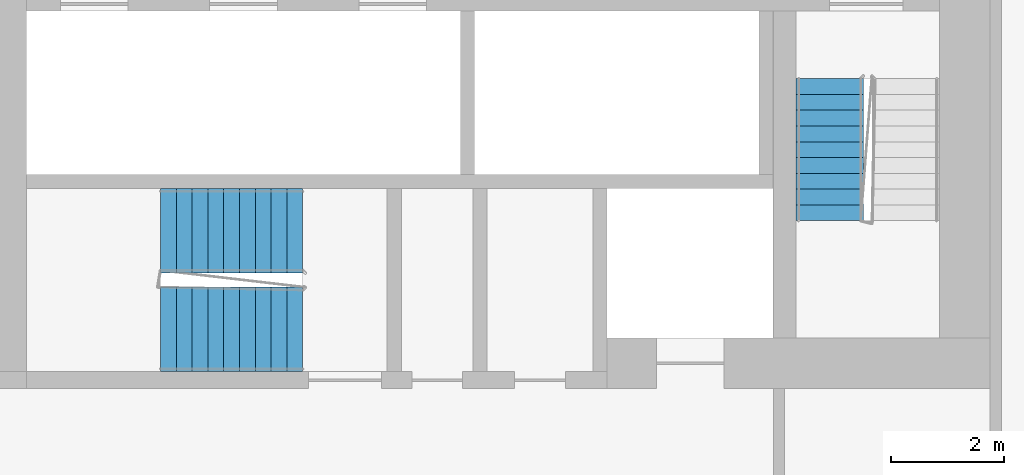
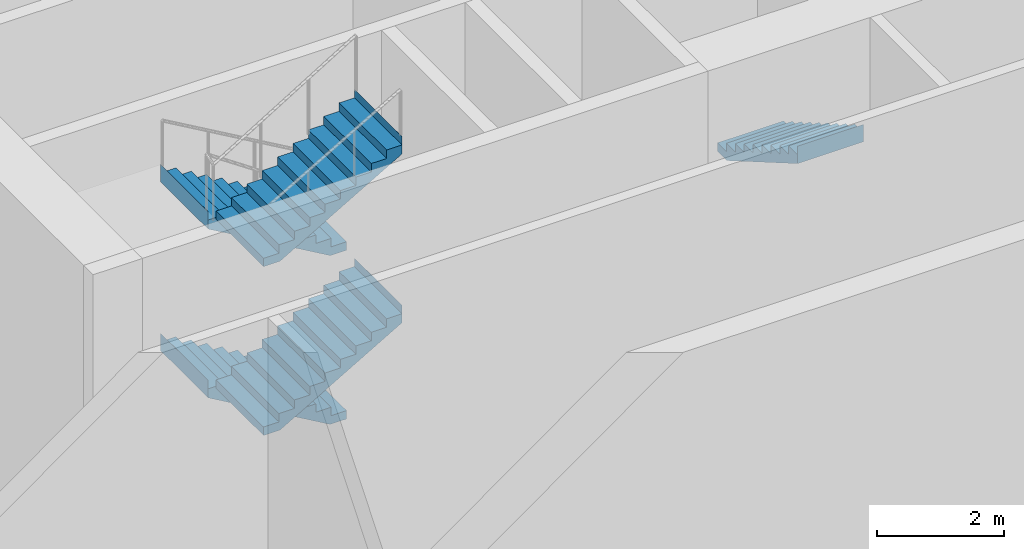
# One storey, part 15 of 24: 5 stair flights, 2 elements without a shape of their own.
"""IFC4 building model written with IfcOpenShell, lengths in metres."""

from ifc_helpers import new_model, si_unit, direction, frame, origin, place, context, subcontext, project, spatial, faceted_brep, material, type_object, element, aggregate, save


model = new_model("IFC4")

# Units and contexts
model_context = context("Model", 3, precision=1e-05, world=origin(), true_north=direction((0.0, 1.0)))
body_context = subcontext(model_context, "Body", "Model", "MODEL_VIEW")
ifc_project = project(units=[si_unit("LENGTHUNIT", "METRE"), si_unit("AREAUNIT", "SQUARE_METRE"), si_unit("VOLUMEUNIT", "CUBIC_METRE"), si_unit("PLANEANGLEUNIT", "RADIAN"), si_unit("MASSUNIT", "GRAM", prefix="KILO")], contexts=[model_context])

# Site, building, storey
site_placement = place(None, origin())
site = spatial("IfcSite", under=ifc_project, at=site_placement, CompositionType="ELEMENT")
building_placement = place(site_placement, origin())
building = spatial("IfcBuilding", under=site, at=building_placement, Name="Kajstack Hotel Tower", CompositionType="ELEMENT")
storey_placement = place(building_placement, frame((0.0, 0.0, 17.0)))
storey = spatial("IfcBuildingStorey", under=building, at=storey_placement, Name="L02", CompositionType="ELEMENT", Elevation=17.0)

# Stair, stair flight
ifc_material = material(Name="Concrete C40/50", Category="concrete")
stair_type_1 = type_object("IfcStairType", Name="Exit stair 1200", PredefinedType="HALF_TURN_STAIR", material=ifc_material)
stair_1_placement = place(storey_placement, origin())
stair_1 = element("IfcStair", 1, at=stair_1_placement, inside=storey, type_object=stair_type_1, Name="L02 stair W2", PredefinedType="HALF_TURN_STAIR")
stair_flight_type_1 = type_object("IfcStairFlightType", Name="Exit stair flight 1200", PredefinedType="STRAIGHT", material=ifc_material)
stair_flight_1_placement = place(storey_placement, frame((-16.35009765625, -10.0, 0.0), z_axis=(0.0, 0.0, 1.0), x_axis=(0.0, -1.0, 0.0)))
stair_flight_1 = element("IfcStairFlight", 2, at=stair_flight_1_placement, type_object=stair_flight_type_1, Name="W2 flight 1", NumberOfRisers=10, NumberOfTreads=9, PredefinedType="STRAIGHT", RiserHeight=0.1625, TreadLength=0.28, context=body_context, shape_type="Brep", body=[
    faceted_brep([(0.299072265625, -0.60009765625, 0.0), (2.5205078125, -0.60009765625, 1.2890625), (2.5205078125, -0.60009765625, 1.625), (2.52001953125, -0.60009765625, 1.625), (2.52001953125, -0.60009765625, 1.46240234375), (2.239990234375, -0.60009765625, 1.46240234375), (2.239990234375, -0.60009765625, 1.300048828125), (1.9599609375, -0.60009765625, 1.300048828125), (1.9599609375, -0.60009765625, 1.137451171875), (1.679931640625, -0.60009765625, 1.137451171875), (1.679931640625, -0.60009765625, 0.97509765625), (1.39990234375, -0.60009765625, 0.97509765625), (1.39990234375, -0.60009765625, 0.8125), (1.1201171875, -0.60009765625, 0.8125), (1.1201171875, -0.60009765625, 0.64990234375), (0.840087890625, -0.60009765625, 0.64990234375), (0.840087890625, -0.60009765625, 0.487548828125), (0.56005859375, -0.60009765625, 0.487548828125), (0.56005859375, -0.60009765625, 0.324951171875), (0.280029296875, -0.60009765625, 0.324951171875), (0.280029296875, -0.60009765625, 0.16259765625), (-0.00048828125, -0.60009765625, 0.16259765625), (-0.00048828125, -0.60009765625, 0.0), (-0.00048828125, 0.60009765625, 0.0), (-0.00048828125, 0.60009765625, 0.16259765625), (0.280029296875, 0.60009765625, 0.16259765625), (0.280029296875, 0.60009765625, 0.324951171875), (0.56005859375, 0.60009765625, 0.324951171875), (0.56005859375, 0.60009765625, 0.487548828125), (0.840087890625, 0.60009765625, 0.487548828125), (0.840087890625, 0.60009765625, 0.64990234375), (1.1201171875, 0.60009765625, 0.64990234375), (1.1201171875, 0.60009765625, 0.8125), (1.39990234375, 0.60009765625, 0.8125), (1.39990234375, 0.60009765625, 0.97509765625), (1.679931640625, 0.60009765625, 0.97509765625), (1.679931640625, 0.60009765625, 1.137451171875), (1.9599609375, 0.60009765625, 1.137451171875), (1.9599609375, 0.60009765625, 1.300048828125), (2.239990234375, 0.60009765625, 1.300048828125), (2.239990234375, 0.60009765625, 1.46240234375), (2.52001953125, 0.60009765625, 1.46240234375), (2.52001953125, 0.60009765625, 1.625), (2.5205078125, 0.60009765625, 1.625), (2.5205078125, 0.60009765625, 1.2890625), (0.299072265625, 0.60009765625, 0.0), (-0.00048828125, -0.300048828125, 0.16259765625), (-0.00048828125, 0.0, 0.16259765625), (-0.00048828125, 0.300048828125, 0.16259765625), (-0.00048828125, 0.300048828125, 0.0), (-0.00048828125, 0.0, 0.0), (-0.00048828125, -0.300048828125, 0.0), (0.280029296875, -0.300048828125, 0.16259765625), (0.280029296875, 0.0, 0.16259765625), (0.280029296875, 0.300048828125, 0.16259765625), (0.280029296875, -0.300048828125, 0.324951171875), (0.280029296875, 0.0, 0.324951171875), (0.280029296875, 0.300048828125, 0.324951171875), (0.56005859375, -0.300048828125, 0.324951171875), (0.56005859375, 0.0, 0.324951171875), (0.56005859375, 0.300048828125, 0.324951171875), (0.56005859375, -0.300048828125, 0.487548828125), (0.56005859375, 0.0, 0.487548828125), (0.56005859375, 0.300048828125, 0.487548828125), (0.840087890625, -0.300048828125, 0.487548828125), (0.840087890625, 0.0, 0.487548828125), (0.840087890625, 0.300048828125, 0.487548828125), (0.840087890625, -0.300048828125, 0.64990234375), (0.840087890625, 0.0, 0.64990234375), (0.840087890625, 0.300048828125, 0.64990234375), (1.1201171875, -0.300048828125, 0.64990234375), (1.1201171875, 0.0, 0.64990234375), (1.1201171875, 0.300048828125, 0.64990234375), (1.1201171875, -0.300048828125, 0.8125), (1.1201171875, 0.0, 0.8125), (1.1201171875, 0.300048828125, 0.8125), (1.39990234375, -0.300048828125, 0.8125), (1.39990234375, 0.0, 0.8125), (1.39990234375, 0.300048828125, 0.8125), (1.39990234375, -0.300048828125, 0.97509765625), (1.39990234375, 0.0, 0.97509765625), (1.39990234375, 0.300048828125, 0.97509765625), (1.679931640625, -0.300048828125, 0.97509765625), (1.679931640625, 0.0, 0.97509765625), (1.679931640625, 0.300048828125, 0.97509765625), (1.679931640625, -0.300048828125, 1.137451171875), (1.679931640625, 0.0, 1.137451171875), (1.679931640625, 0.300048828125, 1.137451171875), (1.9599609375, -0.300048828125, 1.137451171875), (1.9599609375, 0.0, 1.137451171875), (1.9599609375, 0.300048828125, 1.137451171875), (1.9599609375, -0.300048828125, 1.300048828125), (1.9599609375, 0.0, 1.300048828125), (1.9599609375, 0.300048828125, 1.300048828125), (2.239990234375, -0.300048828125, 1.300048828125), (2.239990234375, 0.0, 1.300048828125), (2.239990234375, 0.300048828125, 1.300048828125), (2.239990234375, -0.300048828125, 1.46240234375), (2.239990234375, 0.0, 1.46240234375), (2.239990234375, 0.300048828125, 1.46240234375), (2.52001953125, -0.300048828125, 1.46240234375), (2.52001953125, 0.0, 1.46240234375), (2.52001953125, 0.300048828125, 1.46240234375), (2.52001953125, -0.300048828125, 1.625), (2.52001953125, 0.0, 1.625), (2.52001953125, 0.300048828125, 1.625), (2.5205078125, -0.300048828125, 1.625), (2.5205078125, 0.0, 1.625), (2.5205078125, 0.300048828125, 1.625), (2.5205078125, -0.300048828125, 1.2890625), (2.5205078125, 0.0, 1.2890625), (2.5205078125, 0.300048828125, 1.2890625), (0.299072265625, -0.300048828125, 0.0), (0.299072265625, 0.0, 0.0), (0.299072265625, 0.300048828125, 0.0)], [[[0, 1, 2, 3, 4, 5, 6, 7, 8, 9, 10, 11, 12, 13, 14, 15, 16, 17, 18, 19, 20, 21, 22]], [[23, 24, 25, 26, 27, 28, 29, 30, 31, 32, 33, 34, 35, 36, 37, 38, 39, 40, 41, 42, 43, 44, 45]], [[21, 46, 47, 48, 24, 23, 49, 50, 51, 22]], [[20, 52, 53, 54, 25, 24, 48, 47, 46, 21]], [[19, 55, 56, 57, 26, 25, 54, 53, 52, 20]], [[18, 58, 59, 60, 27, 26, 57, 56, 55, 19]], [[17, 61, 62, 63, 28, 27, 60, 59, 58, 18]], [[16, 64, 65, 66, 29, 28, 63, 62, 61, 17]], [[15, 67, 68, 69, 30, 29, 66, 65, 64, 16]], [[14, 70, 71, 72, 31, 30, 69, 68, 67, 15]], [[13, 73, 74, 75, 32, 31, 72, 71, 70, 14]], [[12, 76, 77, 78, 33, 32, 75, 74, 73, 13]], [[11, 79, 80, 81, 34, 33, 78, 77, 76, 12]], [[10, 82, 83, 84, 35, 34, 81, 80, 79, 11]], [[9, 85, 86, 87, 36, 35, 84, 83, 82, 10]], [[8, 88, 89, 90, 37, 36, 87, 86, 85, 9]], [[7, 91, 92, 93, 38, 37, 90, 89, 88, 8]], [[6, 94, 95, 96, 39, 38, 93, 92, 91, 7]], [[5, 97, 98, 99, 40, 39, 96, 95, 94, 6]], [[4, 100, 101, 102, 41, 40, 99, 98, 97, 5]], [[3, 103, 104, 105, 42, 41, 102, 101, 100, 4]], [[2, 106, 107, 108, 43, 42, 105, 104, 103, 3]], [[1, 109, 110, 111, 44, 43, 108, 107, 106, 2]], [[0, 112, 113, 114, 45, 44, 111, 110, 109, 1]], [[22, 51, 50, 49, 23, 45, 114, 113, 112, 0]]]),
])
aggregate(stair_1, [stair_flight_1])

# Stair, stair flights
stair_type_2 = type_object("IfcStairType", Name="Exit stair 1500", PredefinedType="HALF_TURN_STAIR", material=ifc_material)
stair_2_placement = place(storey_placement, origin())
stair_2 = element("IfcStair", 3, at=stair_2_placement, inside=storey, type_object=stair_type_2, Name="L02 stair W3", PredefinedType="HALF_TURN_STAIR")
stair_flight_type_2 = type_object("IfcStairFlightType", Name="Exit stair flight 1500", PredefinedType="STRAIGHT", material=ifc_material)
stair_flight_2_placement = place(storey_placement, frame((-25.699951171875, -12.699951171875, 0.0), z_axis=(0.0, 0.0, 1.0), x_axis=(-1.0, 0.0, 0.0)))
stair_flight_2 = element("IfcStairFlight", 4, at=stair_flight_2_placement, type_object=stair_flight_type_2, Name="W3 flight 1", NumberOfRisers=10, NumberOfTreads=9, PredefinedType="STRAIGHT", RiserHeight=0.1625, TreadLength=0.28, context=body_context, shape_type="Brep", body=[
    faceted_brep([(0.299072265625, -0.75, 0.0), (2.5205078125, -0.75, 1.2890625), (2.5205078125, -0.75, 1.625), (2.52001953125, -0.75, 1.625), (2.52001953125, -0.75, 1.46240234375), (2.239990234375, -0.75, 1.46240234375), (2.239990234375, -0.75, 1.300048828125), (1.9599609375, -0.75, 1.300048828125), (1.9599609375, -0.75, 1.137451171875), (1.679931640625, -0.75, 1.137451171875), (1.679931640625, -0.75, 0.97509765625), (1.39990234375, -0.75, 0.97509765625), (1.39990234375, -0.75, 0.8125), (1.1201171875, -0.75, 0.8125), (1.1201171875, -0.75, 0.64990234375), (0.840087890625, -0.75, 0.64990234375), (0.840087890625, -0.75, 0.487548828125), (0.56005859375, -0.75, 0.487548828125), (0.56005859375, -0.75, 0.324951171875), (0.280029296875, -0.75, 0.324951171875), (0.280029296875, -0.75, 0.16259765625), (-0.00048828125, -0.75, 0.16259765625), (-0.00048828125, -0.75, 0.0), (-0.00048828125, 0.75, 0.0), (-0.00048828125, 0.75, 0.16259765625), (0.280029296875, 0.75, 0.16259765625), (0.280029296875, 0.75, 0.324951171875), (0.56005859375, 0.75, 0.324951171875), (0.56005859375, 0.75, 0.487548828125), (0.840087890625, 0.75, 0.487548828125), (0.840087890625, 0.75, 0.64990234375), (1.1201171875, 0.75, 0.64990234375), (1.1201171875, 0.75, 0.8125), (1.39990234375, 0.75, 0.8125), (1.39990234375, 0.75, 0.97509765625), (1.679931640625, 0.75, 0.97509765625), (1.679931640625, 0.75, 1.137451171875), (1.9599609375, 0.75, 1.137451171875), (1.9599609375, 0.75, 1.300048828125), (2.239990234375, 0.75, 1.300048828125), (2.239990234375, 0.75, 1.46240234375), (2.52001953125, 0.75, 1.46240234375), (2.52001953125, 0.75, 1.625), (2.5205078125, 0.75, 1.625), (2.5205078125, 0.75, 1.2890625), (0.299072265625, 0.75, 0.0), (-0.00048828125, -0.375, 0.16259765625), (-0.00048828125, 0.0, 0.16259765625), (-0.00048828125, 0.375, 0.16259765625), (-0.00048828125, 0.375, 0.0), (-0.00048828125, 0.0, 0.0), (-0.00048828125, -0.375, 0.0), (0.280029296875, -0.375, 0.16259765625), (0.280029296875, 0.0, 0.16259765625), (0.280029296875, 0.375, 0.16259765625), (0.280029296875, -0.375, 0.324951171875), (0.280029296875, 0.0, 0.324951171875), (0.280029296875, 0.375, 0.324951171875), (0.56005859375, -0.375, 0.324951171875), (0.56005859375, 0.0, 0.324951171875), (0.56005859375, 0.375, 0.324951171875), (0.56005859375, -0.375, 0.487548828125), (0.56005859375, 0.0, 0.487548828125), (0.56005859375, 0.375, 0.487548828125), (0.840087890625, -0.375, 0.487548828125), (0.840087890625, 0.0, 0.487548828125), (0.840087890625, 0.375, 0.487548828125), (0.840087890625, -0.375, 0.64990234375), (0.840087890625, 0.0, 0.64990234375), (0.840087890625, 0.375, 0.64990234375), (1.1201171875, -0.375, 0.64990234375), (1.1201171875, 0.0, 0.64990234375), (1.1201171875, 0.375, 0.64990234375), (1.1201171875, -0.375, 0.8125), (1.1201171875, 0.0, 0.8125), (1.1201171875, 0.375, 0.8125), (1.39990234375, -0.375, 0.8125), (1.39990234375, 0.0, 0.8125), (1.39990234375, 0.375, 0.8125), (1.39990234375, -0.375, 0.97509765625), (1.39990234375, 0.0, 0.97509765625), (1.39990234375, 0.375, 0.97509765625), (1.679931640625, -0.375, 0.97509765625), (1.679931640625, 0.0, 0.97509765625), (1.679931640625, 0.375, 0.97509765625), (1.679931640625, -0.375, 1.137451171875), (1.679931640625, 0.0, 1.137451171875), (1.679931640625, 0.375, 1.137451171875), (1.9599609375, -0.375, 1.137451171875), (1.9599609375, 0.0, 1.137451171875), (1.9599609375, 0.375, 1.137451171875), (1.9599609375, -0.375, 1.300048828125), (1.9599609375, 0.0, 1.300048828125), (1.9599609375, 0.375, 1.300048828125), (2.239990234375, -0.375, 1.300048828125), (2.239990234375, 0.0, 1.300048828125), (2.239990234375, 0.375, 1.300048828125), (2.239990234375, -0.375, 1.46240234375), (2.239990234375, 0.0, 1.46240234375), (2.239990234375, 0.375, 1.46240234375), (2.52001953125, -0.375, 1.46240234375), (2.52001953125, 0.0, 1.46240234375), (2.52001953125, 0.375, 1.46240234375), (2.52001953125, -0.375, 1.625), (2.52001953125, 0.0, 1.625), (2.52001953125, 0.375, 1.625), (2.5205078125, -0.375, 1.625), (2.5205078125, 0.0, 1.625), (2.5205078125, 0.375, 1.625), (2.5205078125, -0.375, 1.2890625), (2.5205078125, 0.0, 1.2890625), (2.5205078125, 0.375, 1.2890625), (0.299072265625, -0.375, 0.0), (0.299072265625, 0.0, 0.0), (0.299072265625, 0.375, 0.0)], [[[0, 1, 2, 3, 4, 5, 6, 7, 8, 9, 10, 11, 12, 13, 14, 15, 16, 17, 18, 19, 20, 21, 22]], [[23, 24, 25, 26, 27, 28, 29, 30, 31, 32, 33, 34, 35, 36, 37, 38, 39, 40, 41, 42, 43, 44, 45]], [[21, 46, 47, 48, 24, 23, 49, 50, 51, 22]], [[20, 52, 53, 54, 25, 24, 48, 47, 46, 21]], [[19, 55, 56, 57, 26, 25, 54, 53, 52, 20]], [[18, 58, 59, 60, 27, 26, 57, 56, 55, 19]], [[17, 61, 62, 63, 28, 27, 60, 59, 58, 18]], [[16, 64, 65, 66, 29, 28, 63, 62, 61, 17]], [[15, 67, 68, 69, 30, 29, 66, 65, 64, 16]], [[14, 70, 71, 72, 31, 30, 69, 68, 67, 15]], [[13, 73, 74, 75, 32, 31, 72, 71, 70, 14]], [[12, 76, 77, 78, 33, 32, 75, 74, 73, 13]], [[11, 79, 80, 81, 34, 33, 78, 77, 76, 12]], [[10, 82, 83, 84, 35, 34, 81, 80, 79, 11]], [[9, 85, 86, 87, 36, 35, 84, 83, 82, 10]], [[8, 88, 89, 90, 37, 36, 87, 86, 85, 9]], [[7, 91, 92, 93, 38, 37, 90, 89, 88, 8]], [[6, 94, 95, 96, 39, 38, 93, 92, 91, 7]], [[5, 97, 98, 99, 40, 39, 96, 95, 94, 6]], [[4, 100, 101, 102, 41, 40, 99, 98, 97, 5]], [[3, 103, 104, 105, 42, 41, 102, 101, 100, 4]], [[2, 106, 107, 108, 43, 42, 105, 104, 103, 3]], [[1, 109, 110, 111, 44, 43, 108, 107, 106, 2]], [[0, 112, 113, 114, 45, 44, 111, 110, 109, 1]], [[22, 51, 50, 49, 23, 45, 114, 113, 112, 0]]]),
])
stair_flight_3_placement = place(storey_placement, frame((-28.219970703125, -14.449951171875, 1.625), z_axis=(0.0, 0.0, 1.0), x_axis=(1.0, 0.0, 0.0)))
stair_flight_3 = element("IfcStairFlight", 5, at=stair_flight_3_placement, type_object=stair_flight_type_2, Name="W3 flight 2", NumberOfRisers=10, NumberOfTreads=9, PredefinedType="STRAIGHT", RiserHeight=0.1625, TreadLength=0.28, context=body_context, shape_type="Brep", body=[
    faceted_brep([(0.299072265625, -0.75, 0.0), (2.5205078125, -0.75, 1.2890625), (2.5205078125, -0.75, 1.625), (2.52001953125, -0.75, 1.625), (2.52001953125, -0.75, 1.46240234375), (2.239990234375, -0.75, 1.46240234375), (2.239990234375, -0.75, 1.300048828125), (1.9599609375, -0.75, 1.300048828125), (1.9599609375, -0.75, 1.137451171875), (1.679931640625, -0.75, 1.137451171875), (1.679931640625, -0.75, 0.97509765625), (1.39990234375, -0.75, 0.97509765625), (1.39990234375, -0.75, 0.8125), (1.1201171875, -0.75, 0.8125), (1.1201171875, -0.75, 0.64990234375), (0.840087890625, -0.75, 0.64990234375), (0.840087890625, -0.75, 0.487548828125), (0.56005859375, -0.75, 0.487548828125), (0.56005859375, -0.75, 0.324951171875), (0.280029296875, -0.75, 0.324951171875), (0.280029296875, -0.75, 0.16259765625), (-0.00048828125, -0.75, 0.16259765625), (-0.00048828125, -0.75, 0.0), (-0.00048828125, 0.75, 0.0), (-0.00048828125, 0.75, 0.16259765625), (0.280029296875, 0.75, 0.16259765625), (0.280029296875, 0.75, 0.324951171875), (0.56005859375, 0.75, 0.324951171875), (0.56005859375, 0.75, 0.487548828125), (0.840087890625, 0.75, 0.487548828125), (0.840087890625, 0.75, 0.64990234375), (1.1201171875, 0.75, 0.64990234375), (1.1201171875, 0.75, 0.8125), (1.39990234375, 0.75, 0.8125), (1.39990234375, 0.75, 0.97509765625), (1.679931640625, 0.75, 0.97509765625), (1.679931640625, 0.75, 1.137451171875), (1.9599609375, 0.75, 1.137451171875), (1.9599609375, 0.75, 1.300048828125), (2.239990234375, 0.75, 1.300048828125), (2.239990234375, 0.75, 1.46240234375), (2.52001953125, 0.75, 1.46240234375), (2.52001953125, 0.75, 1.625), (2.5205078125, 0.75, 1.625), (2.5205078125, 0.75, 1.2890625), (0.299072265625, 0.75, 0.0), (-0.00048828125, -0.375, 0.16259765625), (-0.00048828125, 0.0, 0.16259765625), (-0.00048828125, 0.375, 0.16259765625), (-0.00048828125, 0.375, 0.0), (-0.00048828125, 0.0, 0.0), (-0.00048828125, -0.375, 0.0), (0.280029296875, -0.375, 0.16259765625), (0.280029296875, 0.0, 0.16259765625), (0.280029296875, 0.375, 0.16259765625), (0.280029296875, -0.375, 0.324951171875), (0.280029296875, 0.0, 0.324951171875), (0.280029296875, 0.375, 0.324951171875), (0.56005859375, -0.375, 0.324951171875), (0.56005859375, 0.0, 0.324951171875), (0.56005859375, 0.375, 0.324951171875), (0.56005859375, -0.375, 0.487548828125), (0.56005859375, 0.0, 0.487548828125), (0.56005859375, 0.375, 0.487548828125), (0.840087890625, -0.375, 0.487548828125), (0.840087890625, 0.0, 0.487548828125), (0.840087890625, 0.375, 0.487548828125), (0.840087890625, -0.375, 0.64990234375), (0.840087890625, 0.0, 0.64990234375), (0.840087890625, 0.375, 0.64990234375), (1.1201171875, -0.375, 0.64990234375), (1.1201171875, 0.0, 0.64990234375), (1.1201171875, 0.375, 0.64990234375), (1.1201171875, -0.375, 0.8125), (1.1201171875, 0.0, 0.8125), (1.1201171875, 0.375, 0.8125), (1.39990234375, -0.375, 0.8125), (1.39990234375, 0.0, 0.8125), (1.39990234375, 0.375, 0.8125), (1.39990234375, -0.375, 0.97509765625), (1.39990234375, 0.0, 0.97509765625), (1.39990234375, 0.375, 0.97509765625), (1.679931640625, -0.375, 0.97509765625), (1.679931640625, 0.0, 0.97509765625), (1.679931640625, 0.375, 0.97509765625), (1.679931640625, -0.375, 1.137451171875), (1.679931640625, 0.0, 1.137451171875), (1.679931640625, 0.375, 1.137451171875), (1.9599609375, -0.375, 1.137451171875), (1.9599609375, 0.0, 1.137451171875), (1.9599609375, 0.375, 1.137451171875), (1.9599609375, -0.375, 1.300048828125), (1.9599609375, 0.0, 1.300048828125), (1.9599609375, 0.375, 1.300048828125), (2.239990234375, -0.375, 1.300048828125), (2.239990234375, 0.0, 1.300048828125), (2.239990234375, 0.375, 1.300048828125), (2.239990234375, -0.375, 1.46240234375), (2.239990234375, 0.0, 1.46240234375), (2.239990234375, 0.375, 1.46240234375), (2.52001953125, -0.375, 1.46240234375), (2.52001953125, 0.0, 1.46240234375), (2.52001953125, 0.375, 1.46240234375), (2.52001953125, -0.375, 1.625), (2.52001953125, 0.0, 1.625), (2.52001953125, 0.375, 1.625), (2.5205078125, -0.375, 1.625), (2.5205078125, 0.0, 1.625), (2.5205078125, 0.375, 1.625), (2.5205078125, -0.375, 1.2890625), (2.5205078125, 0.0, 1.2890625), (2.5205078125, 0.375, 1.2890625), (0.299072265625, -0.375, 0.0), (0.299072265625, 0.0, 0.0), (0.299072265625, 0.375, 0.0)], [[[0, 1, 2, 3, 4, 5, 6, 7, 8, 9, 10, 11, 12, 13, 14, 15, 16, 17, 18, 19, 20, 21, 22]], [[23, 24, 25, 26, 27, 28, 29, 30, 31, 32, 33, 34, 35, 36, 37, 38, 39, 40, 41, 42, 43, 44, 45]], [[21, 46, 47, 48, 24, 23, 49, 50, 51, 22]], [[20, 52, 53, 54, 25, 24, 48, 47, 46, 21]], [[19, 55, 56, 57, 26, 25, 54, 53, 52, 20]], [[18, 58, 59, 60, 27, 26, 57, 56, 55, 19]], [[17, 61, 62, 63, 28, 27, 60, 59, 58, 18]], [[16, 64, 65, 66, 29, 28, 63, 62, 61, 17]], [[15, 67, 68, 69, 30, 29, 66, 65, 64, 16]], [[14, 70, 71, 72, 31, 30, 69, 68, 67, 15]], [[13, 73, 74, 75, 32, 31, 72, 71, 70, 14]], [[12, 76, 77, 78, 33, 32, 75, 74, 73, 13]], [[11, 79, 80, 81, 34, 33, 78, 77, 76, 12]], [[10, 82, 83, 84, 35, 34, 81, 80, 79, 11]], [[9, 85, 86, 87, 36, 35, 84, 83, 82, 10]], [[8, 88, 89, 90, 37, 36, 87, 86, 85, 9]], [[7, 91, 92, 93, 38, 37, 90, 89, 88, 8]], [[6, 94, 95, 96, 39, 38, 93, 92, 91, 7]], [[5, 97, 98, 99, 40, 39, 96, 95, 94, 6]], [[4, 100, 101, 102, 41, 40, 99, 98, 97, 5]], [[3, 103, 104, 105, 42, 41, 102, 101, 100, 4]], [[2, 106, 107, 108, 43, 42, 105, 104, 103, 3]], [[1, 109, 110, 111, 44, 43, 108, 107, 106, 2]], [[0, 112, 113, 114, 45, 44, 111, 110, 109, 1]], [[22, 51, 50, 49, 23, 45, 114, 113, 112, 0]]]),
])
stair_flight_4_placement = place(storey_placement, frame((-25.699951171875, -12.699951171875, 3.25), z_axis=(0.0, 0.0, 1.0), x_axis=(-1.0, 0.0, 0.0)))
stair_flight_4 = element("IfcStairFlight", 6, at=stair_flight_4_placement, type_object=stair_flight_type_2, Name="W3 flight 3", NumberOfRisers=10, NumberOfTreads=9, PredefinedType="STRAIGHT", RiserHeight=0.1625, TreadLength=0.28, context=body_context, shape_type="Brep", body=[
    faceted_brep([(0.299072265625, -0.75, 0.0), (2.5205078125, -0.75, 1.2890625), (2.5205078125, -0.75, 1.625), (2.52001953125, -0.75, 1.625), (2.52001953125, -0.75, 1.46240234375), (2.239990234375, -0.75, 1.46240234375), (2.239990234375, -0.75, 1.300048828125), (1.9599609375, -0.75, 1.300048828125), (1.9599609375, -0.75, 1.137451171875), (1.679931640625, -0.75, 1.137451171875), (1.679931640625, -0.75, 0.97509765625), (1.39990234375, -0.75, 0.97509765625), (1.39990234375, -0.75, 0.8125), (1.1201171875, -0.75, 0.8125), (1.1201171875, -0.75, 0.64990234375), (0.840087890625, -0.75, 0.64990234375), (0.840087890625, -0.75, 0.487548828125), (0.56005859375, -0.75, 0.487548828125), (0.56005859375, -0.75, 0.324951171875), (0.280029296875, -0.75, 0.324951171875), (0.280029296875, -0.75, 0.16259765625), (-0.00048828125, -0.75, 0.16259765625), (-0.00048828125, -0.75, 0.0), (-0.00048828125, 0.75, 0.0), (-0.00048828125, 0.75, 0.16259765625), (0.280029296875, 0.75, 0.16259765625), (0.280029296875, 0.75, 0.324951171875), (0.56005859375, 0.75, 0.324951171875), (0.56005859375, 0.75, 0.487548828125), (0.840087890625, 0.75, 0.487548828125), (0.840087890625, 0.75, 0.64990234375), (1.1201171875, 0.75, 0.64990234375), (1.1201171875, 0.75, 0.8125), (1.39990234375, 0.75, 0.8125), (1.39990234375, 0.75, 0.97509765625), (1.679931640625, 0.75, 0.97509765625), (1.679931640625, 0.75, 1.137451171875), (1.9599609375, 0.75, 1.137451171875), (1.9599609375, 0.75, 1.300048828125), (2.239990234375, 0.75, 1.300048828125), (2.239990234375, 0.75, 1.46240234375), (2.52001953125, 0.75, 1.46240234375), (2.52001953125, 0.75, 1.625), (2.5205078125, 0.75, 1.625), (2.5205078125, 0.75, 1.2890625), (0.299072265625, 0.75, 0.0), (-0.00048828125, -0.375, 0.16259765625), (-0.00048828125, 0.0, 0.16259765625), (-0.00048828125, 0.375, 0.16259765625), (-0.00048828125, 0.375, 0.0), (-0.00048828125, 0.0, 0.0), (-0.00048828125, -0.375, 0.0), (0.280029296875, -0.375, 0.16259765625), (0.280029296875, 0.0, 0.16259765625), (0.280029296875, 0.375, 0.16259765625), (0.280029296875, -0.375, 0.324951171875), (0.280029296875, 0.0, 0.324951171875), (0.280029296875, 0.375, 0.324951171875), (0.56005859375, -0.375, 0.324951171875), (0.56005859375, 0.0, 0.324951171875), (0.56005859375, 0.375, 0.324951171875), (0.56005859375, -0.375, 0.487548828125), (0.56005859375, 0.0, 0.487548828125), (0.56005859375, 0.375, 0.487548828125), (0.840087890625, -0.375, 0.487548828125), (0.840087890625, 0.0, 0.487548828125), (0.840087890625, 0.375, 0.487548828125), (0.840087890625, -0.375, 0.64990234375), (0.840087890625, 0.0, 0.64990234375), (0.840087890625, 0.375, 0.64990234375), (1.1201171875, -0.375, 0.64990234375), (1.1201171875, 0.0, 0.64990234375), (1.1201171875, 0.375, 0.64990234375), (1.1201171875, -0.375, 0.8125), (1.1201171875, 0.0, 0.8125), (1.1201171875, 0.375, 0.8125), (1.39990234375, -0.375, 0.8125), (1.39990234375, 0.0, 0.8125), (1.39990234375, 0.375, 0.8125), (1.39990234375, -0.375, 0.97509765625), (1.39990234375, 0.0, 0.97509765625), (1.39990234375, 0.375, 0.97509765625), (1.679931640625, -0.375, 0.97509765625), (1.679931640625, 0.0, 0.97509765625), (1.679931640625, 0.375, 0.97509765625), (1.679931640625, -0.375, 1.137451171875), (1.679931640625, 0.0, 1.137451171875), (1.679931640625, 0.375, 1.137451171875), (1.9599609375, -0.375, 1.137451171875), (1.9599609375, 0.0, 1.137451171875), (1.9599609375, 0.375, 1.137451171875), (1.9599609375, -0.375, 1.300048828125), (1.9599609375, 0.0, 1.300048828125), (1.9599609375, 0.375, 1.300048828125), (2.239990234375, -0.375, 1.300048828125), (2.239990234375, 0.0, 1.300048828125), (2.239990234375, 0.375, 1.300048828125), (2.239990234375, -0.375, 1.46240234375), (2.239990234375, 0.0, 1.46240234375), (2.239990234375, 0.375, 1.46240234375), (2.52001953125, -0.375, 1.46240234375), (2.52001953125, 0.0, 1.46240234375), (2.52001953125, 0.375, 1.46240234375), (2.52001953125, -0.375, 1.625), (2.52001953125, 0.0, 1.625), (2.52001953125, 0.375, 1.625), (2.5205078125, -0.375, 1.625), (2.5205078125, 0.0, 1.625), (2.5205078125, 0.375, 1.625), (2.5205078125, -0.375, 1.2890625), (2.5205078125, 0.0, 1.2890625), (2.5205078125, 0.375, 1.2890625), (0.299072265625, -0.375, 0.0), (0.299072265625, 0.0, 0.0), (0.299072265625, 0.375, 0.0)], [[[0, 1, 2, 3, 4, 5, 6, 7, 8, 9, 10, 11, 12, 13, 14, 15, 16, 17, 18, 19, 20, 21, 22]], [[23, 24, 25, 26, 27, 28, 29, 30, 31, 32, 33, 34, 35, 36, 37, 38, 39, 40, 41, 42, 43, 44, 45]], [[21, 46, 47, 48, 24, 23, 49, 50, 51, 22]], [[20, 52, 53, 54, 25, 24, 48, 47, 46, 21]], [[19, 55, 56, 57, 26, 25, 54, 53, 52, 20]], [[18, 58, 59, 60, 27, 26, 57, 56, 55, 19]], [[17, 61, 62, 63, 28, 27, 60, 59, 58, 18]], [[16, 64, 65, 66, 29, 28, 63, 62, 61, 17]], [[15, 67, 68, 69, 30, 29, 66, 65, 64, 16]], [[14, 70, 71, 72, 31, 30, 69, 68, 67, 15]], [[13, 73, 74, 75, 32, 31, 72, 71, 70, 14]], [[12, 76, 77, 78, 33, 32, 75, 74, 73, 13]], [[11, 79, 80, 81, 34, 33, 78, 77, 76, 12]], [[10, 82, 83, 84, 35, 34, 81, 80, 79, 11]], [[9, 85, 86, 87, 36, 35, 84, 83, 82, 10]], [[8, 88, 89, 90, 37, 36, 87, 86, 85, 9]], [[7, 91, 92, 93, 38, 37, 90, 89, 88, 8]], [[6, 94, 95, 96, 39, 38, 93, 92, 91, 7]], [[5, 97, 98, 99, 40, 39, 96, 95, 94, 6]], [[4, 100, 101, 102, 41, 40, 99, 98, 97, 5]], [[3, 103, 104, 105, 42, 41, 102, 101, 100, 4]], [[2, 106, 107, 108, 43, 42, 105, 104, 103, 3]], [[1, 109, 110, 111, 44, 43, 108, 107, 106, 2]], [[0, 112, 113, 114, 45, 44, 111, 110, 109, 1]], [[22, 51, 50, 49, 23, 45, 114, 113, 112, 0]]]),
])
stair_flight_5_placement = place(storey_placement, frame((-28.219970703125, -14.449951171875, 4.875), z_axis=(0.0, 0.0, 1.0), x_axis=(1.0, 0.0, 0.0)))
stair_flight_5 = element("IfcStairFlight", 7, at=stair_flight_5_placement, type_object=stair_flight_type_2, Name="W3 flight 4", NumberOfRisers=10, NumberOfTreads=9, PredefinedType="STRAIGHT", RiserHeight=0.1625, TreadLength=0.28, context=body_context, shape_type="Brep", body=[
    faceted_brep([(0.299072265625, -0.75, 0.0), (2.5205078125, -0.75, 1.2890625), (2.5205078125, -0.75, 1.625), (2.52001953125, -0.75, 1.625), (2.52001953125, -0.75, 1.46240234375), (2.239990234375, -0.75, 1.46240234375), (2.239990234375, -0.75, 1.300048828125), (1.9599609375, -0.75, 1.300048828125), (1.9599609375, -0.75, 1.137451171875), (1.679931640625, -0.75, 1.137451171875), (1.679931640625, -0.75, 0.97509765625), (1.39990234375, -0.75, 0.97509765625), (1.39990234375, -0.75, 0.8125), (1.1201171875, -0.75, 0.8125), (1.1201171875, -0.75, 0.64990234375), (0.840087890625, -0.75, 0.64990234375), (0.840087890625, -0.75, 0.487548828125), (0.56005859375, -0.75, 0.487548828125), (0.56005859375, -0.75, 0.324951171875), (0.280029296875, -0.75, 0.324951171875), (0.280029296875, -0.75, 0.16259765625), (-0.00048828125, -0.75, 0.16259765625), (-0.00048828125, -0.75, 0.0), (-0.00048828125, 0.75, 0.0), (-0.00048828125, 0.75, 0.16259765625), (0.280029296875, 0.75, 0.16259765625), (0.280029296875, 0.75, 0.324951171875), (0.56005859375, 0.75, 0.324951171875), (0.56005859375, 0.75, 0.487548828125), (0.840087890625, 0.75, 0.487548828125), (0.840087890625, 0.75, 0.64990234375), (1.1201171875, 0.75, 0.64990234375), (1.1201171875, 0.75, 0.8125), (1.39990234375, 0.75, 0.8125), (1.39990234375, 0.75, 0.97509765625), (1.679931640625, 0.75, 0.97509765625), (1.679931640625, 0.75, 1.137451171875), (1.9599609375, 0.75, 1.137451171875), (1.9599609375, 0.75, 1.300048828125), (2.239990234375, 0.75, 1.300048828125), (2.239990234375, 0.75, 1.46240234375), (2.52001953125, 0.75, 1.46240234375), (2.52001953125, 0.75, 1.625), (2.5205078125, 0.75, 1.625), (2.5205078125, 0.75, 1.2890625), (0.299072265625, 0.75, 0.0), (-0.00048828125, -0.375, 0.16259765625), (-0.00048828125, 0.0, 0.16259765625), (-0.00048828125, 0.375, 0.16259765625), (-0.00048828125, 0.375, 0.0), (-0.00048828125, 0.0, 0.0), (-0.00048828125, -0.375, 0.0), (0.280029296875, -0.375, 0.16259765625), (0.280029296875, 0.0, 0.16259765625), (0.280029296875, 0.375, 0.16259765625), (0.280029296875, -0.375, 0.324951171875), (0.280029296875, 0.0, 0.324951171875), (0.280029296875, 0.375, 0.324951171875), (0.56005859375, -0.375, 0.324951171875), (0.56005859375, 0.0, 0.324951171875), (0.56005859375, 0.375, 0.324951171875), (0.56005859375, -0.375, 0.487548828125), (0.56005859375, 0.0, 0.487548828125), (0.56005859375, 0.375, 0.487548828125), (0.840087890625, -0.375, 0.487548828125), (0.840087890625, 0.0, 0.487548828125), (0.840087890625, 0.375, 0.487548828125), (0.840087890625, -0.375, 0.64990234375), (0.840087890625, 0.0, 0.64990234375), (0.840087890625, 0.375, 0.64990234375), (1.1201171875, -0.375, 0.64990234375), (1.1201171875, 0.0, 0.64990234375), (1.1201171875, 0.375, 0.64990234375), (1.1201171875, -0.375, 0.8125), (1.1201171875, 0.0, 0.8125), (1.1201171875, 0.375, 0.8125), (1.39990234375, -0.375, 0.8125), (1.39990234375, 0.0, 0.8125), (1.39990234375, 0.375, 0.8125), (1.39990234375, -0.375, 0.97509765625), (1.39990234375, 0.0, 0.97509765625), (1.39990234375, 0.375, 0.97509765625), (1.679931640625, -0.375, 0.97509765625), (1.679931640625, 0.0, 0.97509765625), (1.679931640625, 0.375, 0.97509765625), (1.679931640625, -0.375, 1.137451171875), (1.679931640625, 0.0, 1.137451171875), (1.679931640625, 0.375, 1.137451171875), (1.9599609375, -0.375, 1.137451171875), (1.9599609375, 0.0, 1.137451171875), (1.9599609375, 0.375, 1.137451171875), (1.9599609375, -0.375, 1.300048828125), (1.9599609375, 0.0, 1.300048828125), (1.9599609375, 0.375, 1.300048828125), (2.239990234375, -0.375, 1.300048828125), (2.239990234375, 0.0, 1.300048828125), (2.239990234375, 0.375, 1.300048828125), (2.239990234375, -0.375, 1.46240234375), (2.239990234375, 0.0, 1.46240234375), (2.239990234375, 0.375, 1.46240234375), (2.52001953125, -0.375, 1.46240234375), (2.52001953125, 0.0, 1.46240234375), (2.52001953125, 0.375, 1.46240234375), (2.52001953125, -0.375, 1.625), (2.52001953125, 0.0, 1.625), (2.52001953125, 0.375, 1.625), (2.5205078125, -0.375, 1.625), (2.5205078125, 0.0, 1.625), (2.5205078125, 0.375, 1.625), (2.5205078125, -0.375, 1.2890625), (2.5205078125, 0.0, 1.2890625), (2.5205078125, 0.375, 1.2890625), (0.299072265625, -0.375, 0.0), (0.299072265625, 0.0, 0.0), (0.299072265625, 0.375, 0.0)], [[[0, 1, 2, 3, 4, 5, 6, 7, 8, 9, 10, 11, 12, 13, 14, 15, 16, 17, 18, 19, 20, 21, 22]], [[23, 24, 25, 26, 27, 28, 29, 30, 31, 32, 33, 34, 35, 36, 37, 38, 39, 40, 41, 42, 43, 44, 45]], [[21, 46, 47, 48, 24, 23, 49, 50, 51, 22]], [[20, 52, 53, 54, 25, 24, 48, 47, 46, 21]], [[19, 55, 56, 57, 26, 25, 54, 53, 52, 20]], [[18, 58, 59, 60, 27, 26, 57, 56, 55, 19]], [[17, 61, 62, 63, 28, 27, 60, 59, 58, 18]], [[16, 64, 65, 66, 29, 28, 63, 62, 61, 17]], [[15, 67, 68, 69, 30, 29, 66, 65, 64, 16]], [[14, 70, 71, 72, 31, 30, 69, 68, 67, 15]], [[13, 73, 74, 75, 32, 31, 72, 71, 70, 14]], [[12, 76, 77, 78, 33, 32, 75, 74, 73, 13]], [[11, 79, 80, 81, 34, 33, 78, 77, 76, 12]], [[10, 82, 83, 84, 35, 34, 81, 80, 79, 11]], [[9, 85, 86, 87, 36, 35, 84, 83, 82, 10]], [[8, 88, 89, 90, 37, 36, 87, 86, 85, 9]], [[7, 91, 92, 93, 38, 37, 90, 89, 88, 8]], [[6, 94, 95, 96, 39, 38, 93, 92, 91, 7]], [[5, 97, 98, 99, 40, 39, 96, 95, 94, 6]], [[4, 100, 101, 102, 41, 40, 99, 98, 97, 5]], [[3, 103, 104, 105, 42, 41, 102, 101, 100, 4]], [[2, 106, 107, 108, 43, 42, 105, 104, 103, 3]], [[1, 109, 110, 111, 44, 43, 108, 107, 106, 2]], [[0, 112, 113, 114, 45, 44, 111, 110, 109, 1]], [[22, 51, 50, 49, 23, 45, 114, 113, 112, 0]]]),
])
aggregate(stair_2, [stair_flight_2, stair_flight_3, stair_flight_4, stair_flight_5])

save(model, "model.ifc")
